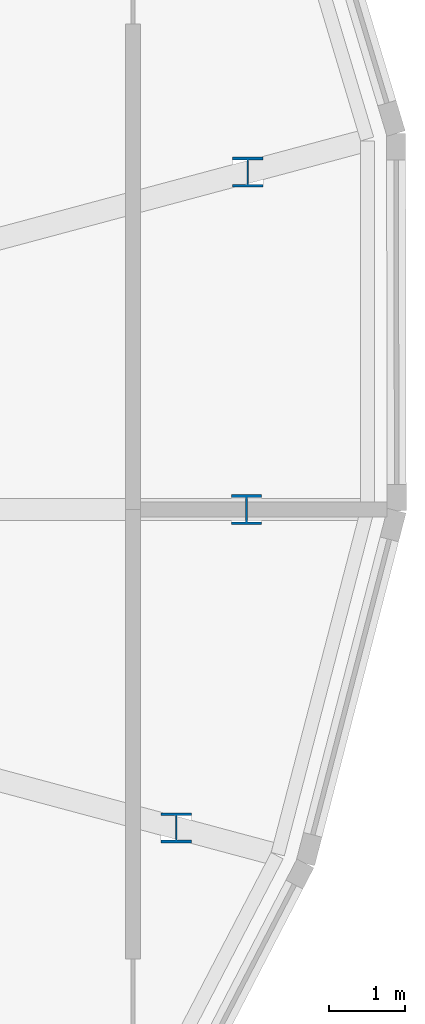
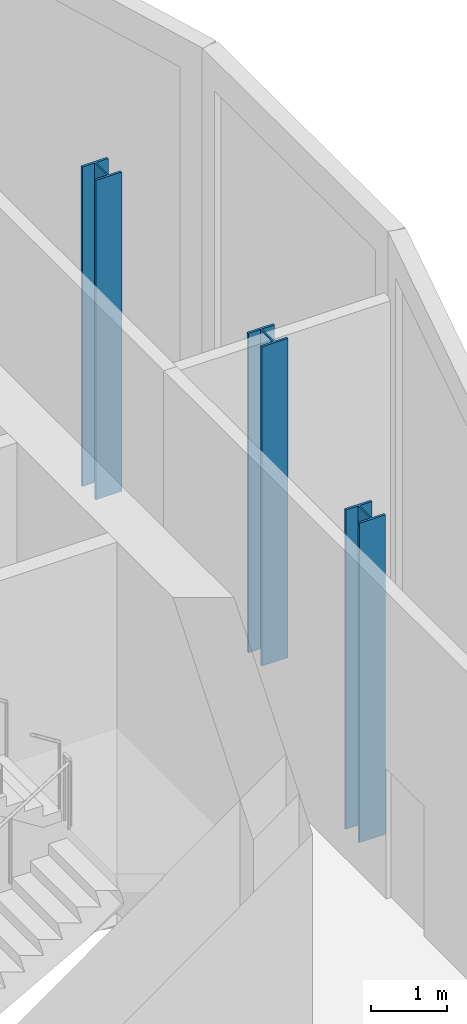
# One storey, part 2 of 39: 3 columns.
"""IFC4 building model written with IfcOpenShell, lengths in metres."""

from ifc_helpers import new_model, si_unit, direction, frame, origin, origin_2d, place, context, subcontext, project, spatial, i_section, extrude, material, material_profile, profile_set, type_object, element, save


model = new_model("IFC4")

# Units and contexts
model_context = context("Model", 3, precision=1e-05, world=origin(), true_north=direction((0.0, 1.0)))
body_context = subcontext(model_context, "Body", "Model", "MODEL_VIEW")
ifc_project = project(units=[si_unit("LENGTHUNIT", "METRE"), si_unit("AREAUNIT", "SQUARE_METRE"), si_unit("VOLUMEUNIT", "CUBIC_METRE"), si_unit("PLANEANGLEUNIT", "RADIAN"), si_unit("MASSUNIT", "GRAM", prefix="KILO")], contexts=[model_context])

# Site, building, storey
site_placement = place(None, origin())
site = spatial("IfcSite", under=ifc_project, at=site_placement, CompositionType="ELEMENT")
building_placement = place(site_placement, origin())
building = spatial("IfcBuilding", under=site, at=building_placement, Name="Rimbun Link Towers", CompositionType="ELEMENT")
storey_placement = place(building_placement, frame((0.0, 0.0, 127.199951171875)))
storey = spatial("IfcBuildingStorey", under=building, at=storey_placement, Name="L31", CompositionType="ELEMENT", Elevation=127.199951171875)

# Columns
ifc_material = material(Name="Steel S355J2", Category="steel")
ifc_material_profile = material_profile(ifc_material, i_section(OverallWidth=0.39892578125, OverallDepth=0.3935546875, WebThickness=0.022705078125, FlangeThickness=0.03662109375, at=origin_2d()), Name="UC 356x406x287")
ifc_profile_set = profile_set([ifc_material_profile], Name="Steel S355J2")
column_type = type_object("IfcColumnType", Name="UC 356x406x287", PredefinedType="COLUMN", material=ifc_profile_set)
for number, where, z_axis, x_axis, name in (
    (1, (47.317138671875, -4.171142578125, -0.179931640625), (0.0, 0.0, 1.0), (1.0, 0.0, 0.0), "Crease post T2 L31 20"),
    (2, (48.236083984375, 0.0, -0.179931640625), (0.0, 0.0, 1.0), (1.0, 0.0, 0.0), "Crease post T2 L31 21"),
    (3, (48.25146484375, 4.42138671875, -0.179931640625), (0.0, 0.0, 1.0), (1.0, 0.0, 0.0), "Crease post T2 L31 22"),
):
    element("IfcColumn", number, at=place(storey_placement, frame(where, z_axis=z_axis, x_axis=x_axis)), inside=storey, type_object=column_type, Name=name, PredefinedType="COLUMN", context=body_context, shape_type="SweptSolid", body=[
        extrude(i_section(OverallWidth=0.39892578125, OverallDepth=0.3935546875, WebThickness=0.022705078125, FlangeThickness=0.03662109375, at=origin_2d()), origin(), (0.0, 0.0, 1.0), 5.1591796875),
    ])

save(model, "model.ifc")
